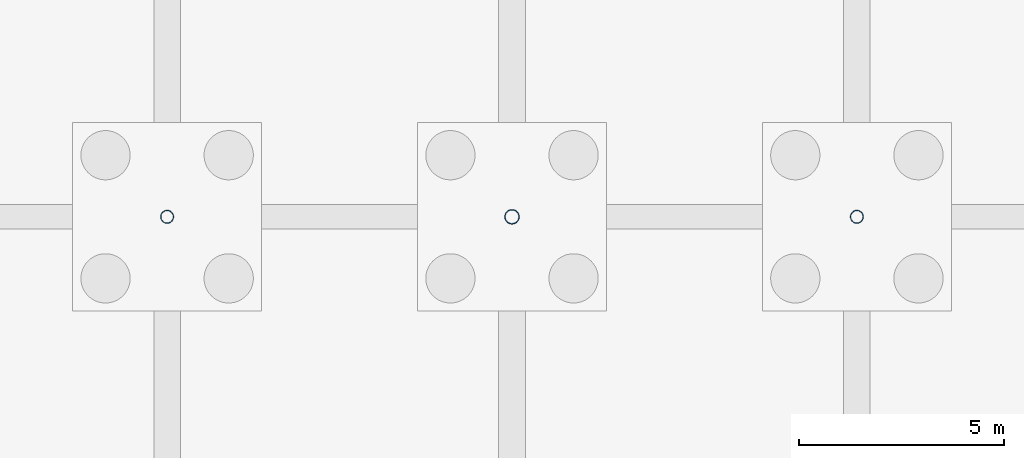
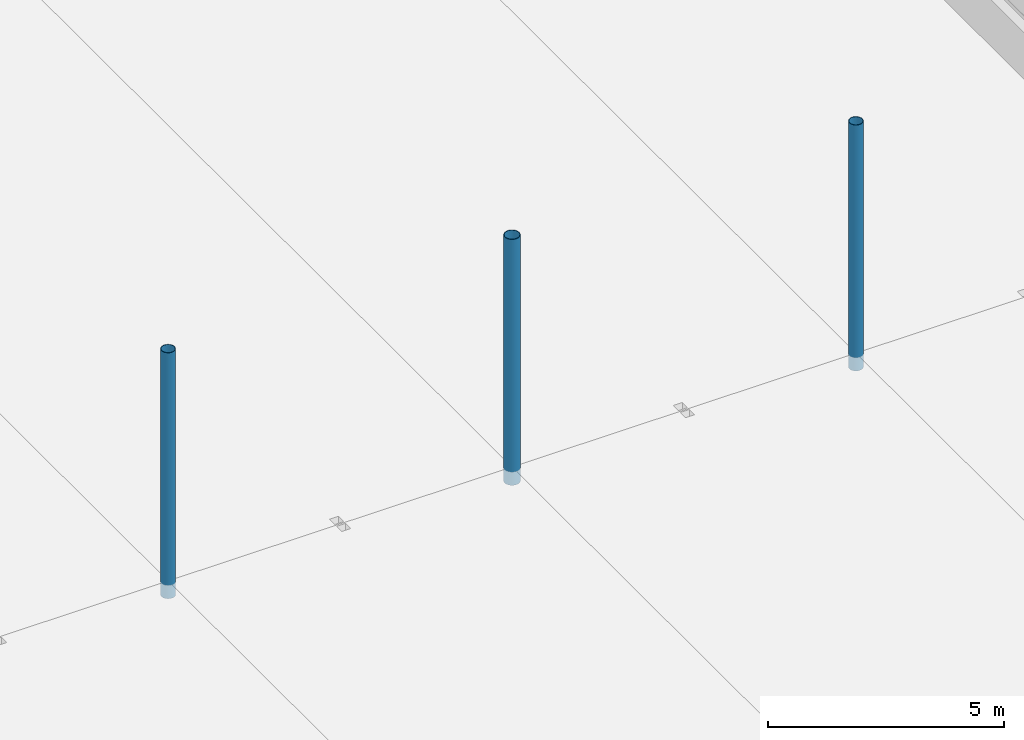
# One storey, part 45 of 139: 3 columns.
"""IFC4 building model written with IfcOpenShell, lengths in metres."""

import ifcopenshell
import ifcopenshell.guid

model = None  # the IFC model being written
_history = None  # IfcOwnerHistory: only IFC2X3 demands one
_inside = {}  # id of a spatial element -> (the spatial element, [elements in it])
_under = {}  # id of a project, library or spatial element -> (it, [spatial elements below it])
_declared = {}  # id of a project -> (the project, [libraries it declares])
_typed = {}  # id of a type object -> (the type object, [elements of that type])
_made_of = {}  # id of a material, layer set ... -> (it, [elements and type objects made of it])


def new_model(schema):
    """Start an empty IFC model of exactly this schema.

    Asked for "IFC4X3", IfcOpenShell would pick the latest addendum, in which some entities
    have other attributes; the version numbers below select the first issue.
    IFC2X3 requires an IfcOwnerHistory on every rooted entity: one is made here for all.
    """
    global model, _history
    if schema == "IFC4X3":
        model = ifcopenshell.file(schema_version=(4, 3, 0, 0))
    else:
        model = ifcopenshell.file(schema=schema)
    _inside.clear()
    _under.clear()
    _declared.clear()
    _typed.clear()
    _made_of.clear()
    _history = None
    if model.schema == "IFC2X3":
        org = make("IfcOrganization", Name="unknown")
        user = make(
            "IfcPersonAndOrganization",
            ThePerson=make("IfcPerson", FamilyName="unknown"),
            TheOrganization=org,
        )
        app = make(
            "IfcApplication",
            ApplicationDeveloper=org,
            Version="unknown",
            ApplicationFullName="unknown",
            ApplicationIdentifier="unknown",
        )
        _history = make(
            "IfcOwnerHistory",
            OwningUser=user,
            OwningApplication=app,
            ChangeAction="ADDED",
            CreationDate=0,
        )
    return model


def make(cls, **values):
    """One entity of the class cls with the attributes given. An attribute that is None is left unset."""
    return model.create_entity(
        cls, **{name: value for name, value in values.items() if value is not None}
    )


def rooted(cls, **values):
    """An entity with a GlobalId (a new one), such as an element, a storey or a relation."""
    return make(cls, GlobalId=ifcopenshell.guid.new(), OwnerHistory=_history, **values)


def si_unit(unit_type, name, prefix=None):
    """IfcSIUnit, for example si_unit("LENGTHUNIT", "METRE", prefix="MILLI")."""
    return make("IfcSIUnit", UnitType=unit_type, Prefix=prefix, Name=name)


def assignment(units):
    """IfcUnitAssignment: the units of a project."""
    return None if units is None else make("IfcUnitAssignment", Units=units)


def point(xyz):
    """IfcCartesianPoint."""
    return None if xyz is None else make("IfcCartesianPoint", Coordinates=xyz)


def direction(xyz):
    """IfcDirection."""
    return None if xyz is None else make("IfcDirection", DirectionRatios=xyz)


def frame(location, z_axis=None, x_axis=None):
    """IfcAxis2Placement3D, a coordinate frame: its origin and axes. An axis left out is left unset."""
    return make(
        "IfcAxis2Placement3D",
        Location=point(location),
        Axis=direction(z_axis),
        RefDirection=direction(x_axis),
    )


def frame_2d(location, x_axis=None):
    """IfcAxis2Placement2D, a coordinate frame in the plane: its origin and x axis."""
    return make(
        "IfcAxis2Placement2D", Location=point(location), RefDirection=direction(x_axis)
    )


def origin():
    """The frame at (0, 0, 0) with its axes left unset."""
    return frame((0.0, 0.0, 0.0))


def origin_2d():
    """The frame at (0, 0) in the plane with its x axis left unset."""
    return frame_2d((0.0, 0.0))


def place(relative_to, where):
    """IfcLocalPlacement: puts the frame where relative to a parent placement (None: the world)."""
    return make(
        "IfcLocalPlacement", PlacementRelTo=relative_to, RelativePlacement=where
    )


def context(
    kind, dimensions, precision=None, world=None, true_north=None, identifier=None
):
    """IfcGeometricRepresentationContext, for example the 3D "Model" context."""
    return make(
        "IfcGeometricRepresentationContext",
        ContextIdentifier=identifier,
        ContextType=kind,
        CoordinateSpaceDimension=dimensions,
        Precision=precision,
        WorldCoordinateSystem=world,
        TrueNorth=true_north,
    )


def subcontext(parent, identifier, kind, view, scale=None):
    """IfcGeometricRepresentationSubContext, for example "Body" below "Model"."""
    return make(
        "IfcGeometricRepresentationSubContext",
        ContextIdentifier=identifier,
        ContextType=kind,
        ParentContext=parent,
        TargetScale=scale,
        TargetView=view,
    )


def project(units=None, contexts=None):
    """IfcProject with its units and contexts."""
    return rooted(
        "IfcProject",
        Name="project",
        RepresentationContexts=contexts,
        UnitsInContext=assignment(units),
    )


def spatial(cls, under=None, at=None, **own):
    """A site, building, storey or space (cls), placed at a placement, below another one or the project."""
    s = rooted(cls, ObjectPlacement=at, **own)
    if under is not None:
        _under.setdefault(under.id(), (under, []))[1].append(s)
    return s


def profile(cls, at=None, kind="AREA", **sizes):
    """A parametric profile (cls). Its sizes go by their IFC names, for example OverallWidth=200.0."""
    return make(cls, ProfileType=kind, Position=at, **sizes)


def hollow_circle(**sizes):
    """IfcCircleHollowProfileDef."""
    return profile("IfcCircleHollowProfileDef", **sizes)


def extrude(swept, where, along, depth):
    """IfcExtrudedAreaSolid: the profile swept, set in the frame where, extruded along a direction by depth."""
    return make(
        "IfcExtrudedAreaSolid",
        SweptArea=swept,
        Position=where,
        ExtrudedDirection=direction(along),
        Depth=depth,
    )


def shape(context_of_items, identifier, shape_type, items):
    """IfcShapeRepresentation: the items that make up one representation, for example the "Body"."""
    return make(
        "IfcShapeRepresentation",
        ContextOfItems=context_of_items,
        RepresentationIdentifier=identifier,
        RepresentationType=shape_type,
        Items=items,
    )


def material(Name=None, Category=None):
    """IfcMaterial."""
    return make("IfcMaterial", Name=Name, Category=Category)


def material_profile(
    of_material, cross_section, Name=None, Category=None, Priority=None
):
    """IfcMaterialProfile: a cross section and its material."""
    return make(
        "IfcMaterialProfile",
        Name=Name,
        Material=of_material,
        Profile=cross_section,
        Priority=Priority,
        Category=Category,
    )


def profile_set(profiles, Name=None, composite=None):
    """IfcMaterialProfileSet."""
    return make(
        "IfcMaterialProfileSet",
        Name=Name,
        MaterialProfiles=profiles,
        CompositeProfile=composite,
    )


def made_of(thing, what):
    """Note that an element or type object is made of a material, layer set ...; save() writes the relation."""
    if what is not None:
        _made_of.setdefault(what.id(), (what, []))[1].append(thing)
    return thing


def type_object(cls, material=None, **own):
    """A type object (cls), such as IfcWallType, which elements share."""
    return made_of(rooted(cls, **own), material)


def element(
    cls,
    number,
    at=None,
    inside=None,
    cuts=None,
    type_object=None,
    material=None,
    context=None,
    identifier="Body",
    shape_type=None,
    held_by="IfcProductDefinitionShape",
    body=None,
    shapes=None,
    **own,
):
    """One element of the class cls, such as IfcWall. Its Tag is "e" and its number.

    at: its placement. inside: the storey or other place that contains it. cuts: it is an
    opening in that element (IfcRelVoidsElement). A single representation is given by context,
    identifier, shape_type and body (its items); several are given by shapes. held_by: the class
    of the entity that holds the representations. save() writes the other relations.
    """
    e = rooted(cls, Tag="e%d" % number, ObjectPlacement=at, **own)
    if body is not None:
        shapes = [shape(context, identifier, shape_type, body)]
    if shapes is not None:
        e.Representation = make(held_by, Representations=shapes)
    if inside is not None:
        _inside.setdefault(inside.id(), (inside, []))[1].append(e)
    if cuts is not None:
        rooted(
            "IfcRelVoidsElement", RelatingBuildingElement=cuts, RelatedOpeningElement=e
        )
    if type_object is not None:
        _typed.setdefault(type_object.id(), (type_object, []))[1].append(e)
    return made_of(e, material)


def aggregate(whole, parts):
    """IfcRelAggregates: a whole, such as a stair, and the parts it consists of."""
    return rooted("IfcRelAggregates", RelatingObject=whole, RelatedObjects=parts)


def save(model, path):
    """Write the relations noted so far, then the file.

    IfcRelAggregates (storeys below a building ...), IfcRelContainedInSpatialStructure (elements
    in a storey), IfcRelDefinesByType, IfcRelAssociatesMaterial and IfcRelDeclares: one each for
    every whole, place, type object, material and project.
    """
    for whole, parts in _under.values():
        aggregate(whole, parts)
    for where, things in _inside.values():
        rooted(
            "IfcRelContainedInSpatialStructure",
            RelatedElements=things,
            RelatingStructure=where,
        )
    for kind, things in _typed.values():
        rooted("IfcRelDefinesByType", RelatedObjects=things, RelatingType=kind)
    for what, things in _made_of.values():
        rooted("IfcRelAssociatesMaterial", RelatedObjects=things, RelatingMaterial=what)
    for by, libraries in _declared.values():
        rooted("IfcRelDeclares", RelatingContext=by, RelatedDefinitions=libraries)
    model.write(path)


model = new_model("IFC4")

# Units and contexts
model_context = context("Model", 3, precision=1e-05, world=origin(), true_north=direction((0.0, 1.0)))
body_context = subcontext(model_context, "Body", "Model", "MODEL_VIEW")
ifc_project = project(units=[si_unit("LENGTHUNIT", "METRE"), si_unit("AREAUNIT", "SQUARE_METRE"), si_unit("VOLUMEUNIT", "CUBIC_METRE"), si_unit("PLANEANGLEUNIT", "RADIAN"), si_unit("MASSUNIT", "GRAM", prefix="KILO")], contexts=[model_context])

# Site, building, storey
site_placement = place(None, origin())
site = spatial("IfcSite", under=ifc_project, at=site_placement, CompositionType="ELEMENT")
building_placement = place(site_placement, origin())
building = spatial("IfcBuilding", under=site, at=building_placement, Name="Kazenagashi Tramway Depot", CompositionType="ELEMENT")
storey_placement = place(building_placement, origin())
storey = spatial("IfcBuildingStorey", under=building, at=storey_placement, Name="L01", CompositionType="ELEMENT", Elevation=0.0)

# Columns
ifc_material = material(Name="Steel STK490", Category="steel")
ifc_material_profile_1 = material_profile(ifc_material, hollow_circle(Radius=0.1778, WallThickness=0.0127, at=origin_2d()), Name="CHS-355.6x12.7")
ifc_profile_set_1 = profile_set([ifc_material_profile_1], Name="Steel STK490")
column_type_1 = type_object("IfcColumnType", Name="C-13", PredefinedType="COLUMN", material=ifc_profile_set_1)
column_placement = place(storey_placement, frame((179.2, 100.0, -0.35), z_axis=(0.0, 0.0, 1.0), x_axis=(1.0, 0.0, 0.0)))
element("IfcColumn", 1, at=column_placement, inside=storey, type_object=column_type_1, Name="Column C-13 COL-0099", PredefinedType="COLUMN", context=body_context, shape_type="SweptSolid", body=[
    extrude(hollow_circle(Radius=0.1778, WallThickness=0.0127, at=origin_2d()), origin(), (0.0, 0.0, 1.0), 6.35),
])
ifc_material_profile_2 = material_profile(ifc_material, hollow_circle(Radius=0.15925, WallThickness=0.0103, at=origin_2d()), Name="CHS-318.5x10.3")
ifc_profile_set_2 = profile_set([ifc_material_profile_2], Name="Steel STK490")
column_type_2 = type_object("IfcColumnType", Name="C-18", PredefinedType="COLUMN", material=ifc_profile_set_2)
for number, where, z_axis, x_axis, name in (
    (2, (170.8, 100.0, -0.35), (0.0, 0.0, 1.0), (1.0, 0.0, 0.0), "Column C-18 COL-0093"),
    (3, (187.6, 100.0, -0.35), (0.0, 0.0, 1.0), (1.0, 0.0, 0.0), "Column C-18 COL-0105"),
):
    element("IfcColumn", number, at=place(storey_placement, frame(where, z_axis=z_axis, x_axis=x_axis)), inside=storey, type_object=column_type_2, Name=name, PredefinedType="COLUMN", context=body_context, shape_type="SweptSolid", body=[
        extrude(hollow_circle(Radius=0.15925, WallThickness=0.0103, at=origin_2d()), origin(), (0.0, 0.0, 1.0), 6.35),
    ])

save(model, "model.ifc")
